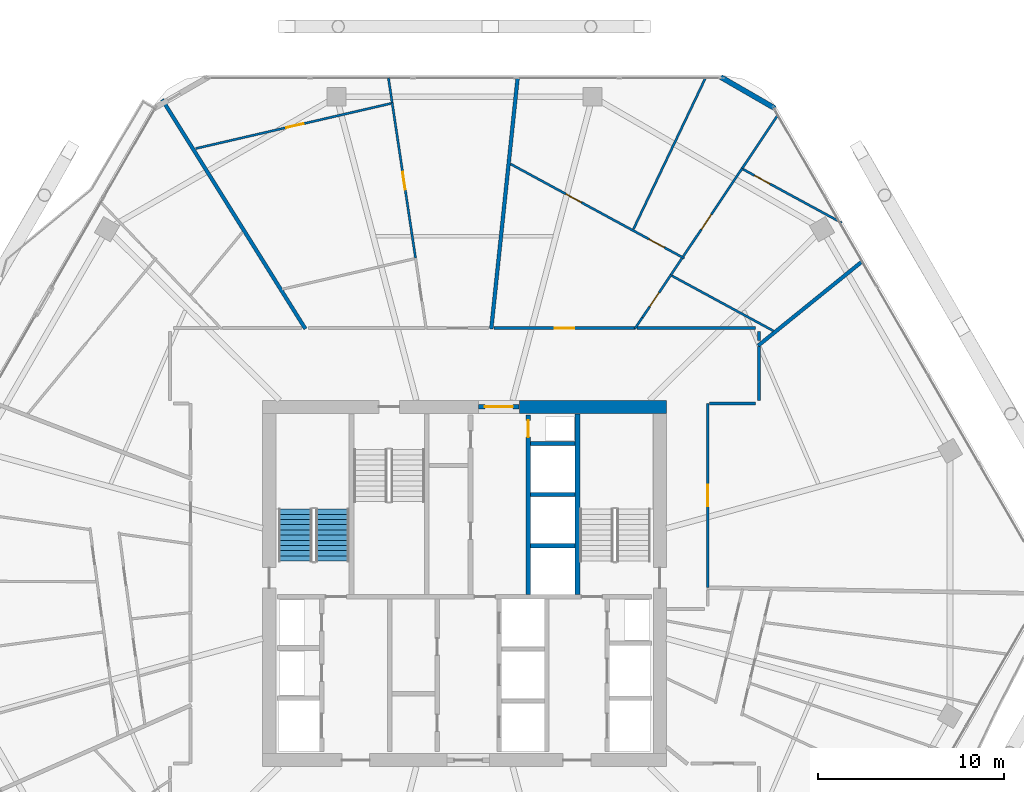
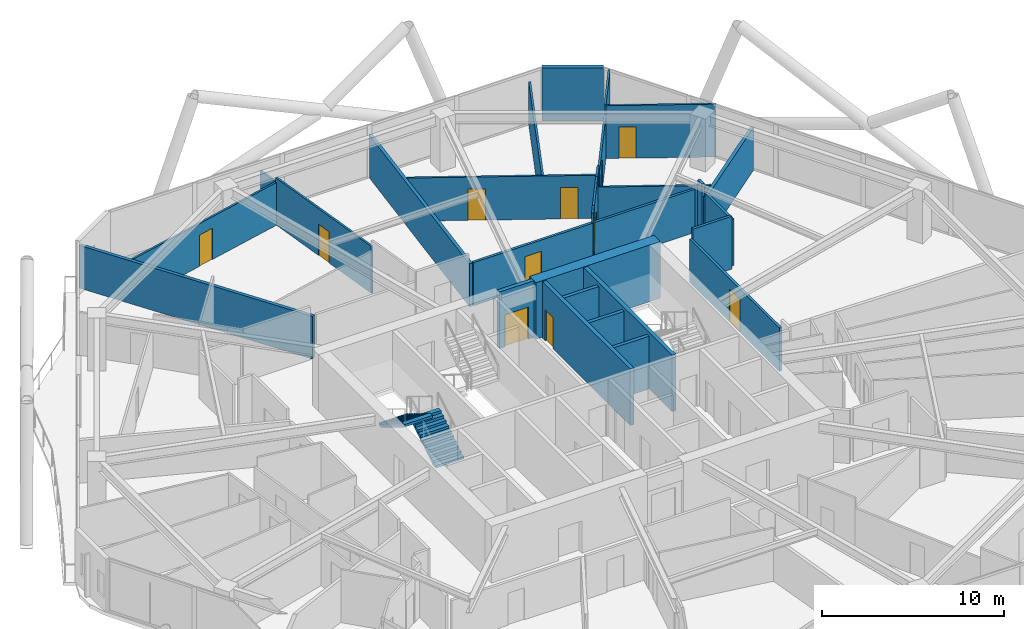
# One storey, part 26 of 30: 29 walls, 11 doors, 2 stair flights, 11 openings, 1 element without a shape of its own.
"""IFC4 building model written with IfcOpenShell, lengths in metres."""

import ifcopenshell
import ifcopenshell.guid

model = None  # the IFC model being written
_history = None  # IfcOwnerHistory: only IFC2X3 demands one
_inside = {}  # id of a spatial element -> (the spatial element, [elements in it])
_under = {}  # id of a project, library or spatial element -> (it, [spatial elements below it])
_declared = {}  # id of a project -> (the project, [libraries it declares])
_typed = {}  # id of a type object -> (the type object, [elements of that type])
_made_of = {}  # id of a material, layer set ... -> (it, [elements and type objects made of it])


def new_model(schema):
    """Start an empty IFC model of exactly this schema.

    Asked for "IFC4X3", IfcOpenShell would pick the latest addendum, in which some entities
    have other attributes; the version numbers below select the first issue.
    IFC2X3 requires an IfcOwnerHistory on every rooted entity: one is made here for all.
    """
    global model, _history
    if schema == "IFC4X3":
        model = ifcopenshell.file(schema_version=(4, 3, 0, 0))
    else:
        model = ifcopenshell.file(schema=schema)
    _inside.clear()
    _under.clear()
    _declared.clear()
    _typed.clear()
    _made_of.clear()
    _history = None
    if model.schema == "IFC2X3":
        org = make("IfcOrganization", Name="unknown")
        user = make(
            "IfcPersonAndOrganization",
            ThePerson=make("IfcPerson", FamilyName="unknown"),
            TheOrganization=org,
        )
        app = make(
            "IfcApplication",
            ApplicationDeveloper=org,
            Version="unknown",
            ApplicationFullName="unknown",
            ApplicationIdentifier="unknown",
        )
        _history = make(
            "IfcOwnerHistory",
            OwningUser=user,
            OwningApplication=app,
            ChangeAction="ADDED",
            CreationDate=0,
        )
    return model


def make(cls, **values):
    """One entity of the class cls with the attributes given. An attribute that is None is left unset."""
    return model.create_entity(
        cls, **{name: value for name, value in values.items() if value is not None}
    )


def rooted(cls, **values):
    """An entity with a GlobalId (a new one), such as an element, a storey or a relation."""
    return make(cls, GlobalId=ifcopenshell.guid.new(), OwnerHistory=_history, **values)


def si_unit(unit_type, name, prefix=None):
    """IfcSIUnit, for example si_unit("LENGTHUNIT", "METRE", prefix="MILLI")."""
    return make("IfcSIUnit", UnitType=unit_type, Prefix=prefix, Name=name)


def assignment(units):
    """IfcUnitAssignment: the units of a project."""
    return None if units is None else make("IfcUnitAssignment", Units=units)


def point(xyz):
    """IfcCartesianPoint."""
    return None if xyz is None else make("IfcCartesianPoint", Coordinates=xyz)


def direction(xyz):
    """IfcDirection."""
    return None if xyz is None else make("IfcDirection", DirectionRatios=xyz)


def frame(location, z_axis=None, x_axis=None):
    """IfcAxis2Placement3D, a coordinate frame: its origin and axes. An axis left out is left unset."""
    return make(
        "IfcAxis2Placement3D",
        Location=point(location),
        Axis=direction(z_axis),
        RefDirection=direction(x_axis),
    )


def frame_2d(location, x_axis=None):
    """IfcAxis2Placement2D, a coordinate frame in the plane: its origin and x axis."""
    return make(
        "IfcAxis2Placement2D", Location=point(location), RefDirection=direction(x_axis)
    )


def origin():
    """The frame at (0, 0, 0) with its axes left unset."""
    return frame((0.0, 0.0, 0.0))


def place(relative_to, where):
    """IfcLocalPlacement: puts the frame where relative to a parent placement (None: the world)."""
    return make(
        "IfcLocalPlacement", PlacementRelTo=relative_to, RelativePlacement=where
    )


def context(
    kind, dimensions, precision=None, world=None, true_north=None, identifier=None
):
    """IfcGeometricRepresentationContext, for example the 3D "Model" context."""
    return make(
        "IfcGeometricRepresentationContext",
        ContextIdentifier=identifier,
        ContextType=kind,
        CoordinateSpaceDimension=dimensions,
        Precision=precision,
        WorldCoordinateSystem=world,
        TrueNorth=true_north,
    )


def subcontext(parent, identifier, kind, view, scale=None):
    """IfcGeometricRepresentationSubContext, for example "Body" below "Model"."""
    return make(
        "IfcGeometricRepresentationSubContext",
        ContextIdentifier=identifier,
        ContextType=kind,
        ParentContext=parent,
        TargetScale=scale,
        TargetView=view,
    )


def project(units=None, contexts=None):
    """IfcProject with its units and contexts."""
    return rooted(
        "IfcProject",
        Name="project",
        RepresentationContexts=contexts,
        UnitsInContext=assignment(units),
    )


def spatial(cls, under=None, at=None, **own):
    """A site, building, storey or space (cls), placed at a placement, below another one or the project."""
    s = rooted(cls, ObjectPlacement=at, **own)
    if under is not None:
        _under.setdefault(under.id(), (under, []))[1].append(s)
    return s


def polyline(points):
    """IfcPolyline through the points."""
    return make("IfcPolyline", Points=[point(p) for p in points])


def profile(cls, at=None, kind="AREA", **sizes):
    """A parametric profile (cls). Its sizes go by their IFC names, for example OverallWidth=200.0."""
    return make(cls, ProfileType=kind, Position=at, **sizes)


def rectangle(**sizes):
    """IfcRectangleProfileDef."""
    return profile("IfcRectangleProfileDef", **sizes)


def outline(outer, holes=None, kind="AREA"):
    """IfcArbitraryClosedProfileDef: a profile drawn as a closed curve; with holes, ...WithVoids."""
    if holes is None:
        return make("IfcArbitraryClosedProfileDef", ProfileType=kind, OuterCurve=outer)
    return make(
        "IfcArbitraryProfileDefWithVoids",
        ProfileType=kind,
        OuterCurve=outer,
        InnerCurves=holes,
    )


def extrude(swept, where, along, depth):
    """IfcExtrudedAreaSolid: the profile swept, set in the frame where, extruded along a direction by depth."""
    return make(
        "IfcExtrudedAreaSolid",
        SweptArea=swept,
        Position=where,
        ExtrudedDirection=direction(along),
        Depth=depth,
    )


def shape(context_of_items, identifier, shape_type, items):
    """IfcShapeRepresentation: the items that make up one representation, for example the "Body"."""
    return make(
        "IfcShapeRepresentation",
        ContextOfItems=context_of_items,
        RepresentationIdentifier=identifier,
        RepresentationType=shape_type,
        Items=items,
    )


def material(Name=None, Category=None):
    """IfcMaterial."""
    return make("IfcMaterial", Name=Name, Category=Category)


def layer(
    of_material, thickness, ventilated=None, Name=None, Category=None, Priority=None
):
    """IfcMaterialLayer: one layer of a wall or slab, of a material (None: an air gap)."""
    return make(
        "IfcMaterialLayer",
        Material=of_material,
        LayerThickness=thickness,
        IsVentilated=ventilated,
        Name=Name,
        Category=Category,
        Priority=Priority,
    )


def layer_set(layers, Name=None):
    """IfcMaterialLayerSet."""
    return make("IfcMaterialLayerSet", MaterialLayers=layers, LayerSetName=Name)


def made_of(thing, what):
    """Note that an element or type object is made of a material, layer set ...; save() writes the relation."""
    if what is not None:
        _made_of.setdefault(what.id(), (what, []))[1].append(thing)
    return thing


def type_object(cls, material=None, **own):
    """A type object (cls), such as IfcWallType, which elements share."""
    return made_of(rooted(cls, **own), material)


def element(
    cls,
    number,
    at=None,
    inside=None,
    cuts=None,
    type_object=None,
    material=None,
    context=None,
    identifier="Body",
    shape_type=None,
    held_by="IfcProductDefinitionShape",
    body=None,
    shapes=None,
    **own,
):
    """One element of the class cls, such as IfcWall. Its Tag is "e" and its number.

    at: its placement. inside: the storey or other place that contains it. cuts: it is an
    opening in that element (IfcRelVoidsElement). A single representation is given by context,
    identifier, shape_type and body (its items); several are given by shapes. held_by: the class
    of the entity that holds the representations. save() writes the other relations.
    """
    e = rooted(cls, Tag="e%d" % number, ObjectPlacement=at, **own)
    if body is not None:
        shapes = [shape(context, identifier, shape_type, body)]
    if shapes is not None:
        e.Representation = make(held_by, Representations=shapes)
    if inside is not None:
        _inside.setdefault(inside.id(), (inside, []))[1].append(e)
    if cuts is not None:
        rooted(
            "IfcRelVoidsElement", RelatingBuildingElement=cuts, RelatedOpeningElement=e
        )
    if type_object is not None:
        _typed.setdefault(type_object.id(), (type_object, []))[1].append(e)
    return made_of(e, material)


def fill(opening, filler):
    """IfcRelFillsElement: the door or window that sits in an opening."""
    return rooted(
        "IfcRelFillsElement",
        RelatingOpeningElement=opening,
        RelatedBuildingElement=filler,
    )


def aggregate(whole, parts):
    """IfcRelAggregates: a whole, such as a stair, and the parts it consists of."""
    return rooted("IfcRelAggregates", RelatingObject=whole, RelatedObjects=parts)


def save(model, path):
    """Write the relations noted so far, then the file.

    IfcRelAggregates (storeys below a building ...), IfcRelContainedInSpatialStructure (elements
    in a storey), IfcRelDefinesByType, IfcRelAssociatesMaterial and IfcRelDeclares: one each for
    every whole, place, type object, material and project.
    """
    for whole, parts in _under.values():
        aggregate(whole, parts)
    for where, things in _inside.values():
        rooted(
            "IfcRelContainedInSpatialStructure",
            RelatedElements=things,
            RelatingStructure=where,
        )
    for kind, things in _typed.values():
        rooted("IfcRelDefinesByType", RelatedObjects=things, RelatingType=kind)
    for what, things in _made_of.values():
        rooted("IfcRelAssociatesMaterial", RelatedObjects=things, RelatingMaterial=what)
    for by, libraries in _declared.values():
        rooted("IfcRelDeclares", RelatingContext=by, RelatedDefinitions=libraries)
    model.write(path)


model = new_model("IFC4")

# Units and contexts
model_context = context("Model", 3, precision=1e-05, world=origin(), true_north=direction((0.0, 1.0)))
body_context = subcontext(model_context, "Body", "Model", "MODEL_VIEW")
ifc_project = project(units=[si_unit("LENGTHUNIT", "METRE"), si_unit("AREAUNIT", "SQUARE_METRE"), si_unit("VOLUMEUNIT", "CUBIC_METRE"), si_unit("PLANEANGLEUNIT", "RADIAN"), si_unit("MASSUNIT", "GRAM", prefix="KILO")], contexts=[model_context])

# Site, building, storey
site_placement = place(None, origin())
site = spatial("IfcSite", under=ifc_project, at=site_placement, CompositionType="ELEMENT")
building_placement = place(site_placement, origin())
building = spatial("IfcBuilding", under=site, at=building_placement, Name="Zuhravey Tower", CompositionType="ELEMENT")
storey_placement = place(building_placement, frame((0.0, 0.0, 177.0)))
storey = spatial("IfcBuildingStorey", under=building, at=storey_placement, Name="L44", CompositionType="ELEMENT", Elevation=177.0)

# Wall
ifc_material_1 = material(Name="Concrete C60/75", Category="concrete")
ifc_layer_1 = layer(ifc_material_1, 0.699951171875)
ifc_layer_set_1 = layer_set([ifc_layer_1], Name="Concrete C60/75")
wall_type_1 = type_object("IfcWallType", Name="Core Shear Wall 700", PredefinedType="SHEAR", material=ifc_layer_set_1)
wall_1_placement = place(storey_placement, frame((46.85009765625, 41.5, 0.0), z_axis=(0.0, 0.0, 1.0), x_axis=(-1.0, 0.0, 0.0)))
element("IfcWall", 1, at=wall_1_placement, inside=storey, type_object=wall_type_1, Name="L44 North-East Core Shear Wall CW70", PredefinedType="SHEAR", context=body_context, shape_type="SweptSolid", body=[
    extrude(rectangle(XDim=7.900146484375, YDim=0.699951171875, at=frame_2d((3.9501953125, 0.0))), origin(), (0.0, 0.0, 1.0), 3.800048828125),
])

# Wall, opening, door
ifc_material_2 = material(Name="Gypsum fire-rated stud partition")
ifc_layer_2 = layer(ifc_material_2, 0.159912109375)
ifc_layer_set_2 = layer_set([ifc_layer_2], Name="Gypsum fire-rated stud partition")
wall_type_2 = type_object("IfcWallType", Name="Corridor Fire Partition 160", PredefinedType="PARTITIONING", material=ifc_layer_set_2)
wall_2_placement = place(storey_placement, frame((45.160400390625, 45.72998046875, 0.0), z_axis=(0.0, 0.0, 1.0), x_axis=(-1.0, 0.0, 0.0)))
wall_2 = element("IfcWall", 2, at=wall_2_placement, inside=storey, type_object=wall_type_2, Name="L44 IW16 Partition 025", PredefinedType="PARTITIONING", context=body_context, shape_type="SweptSolid", body=[
    extrude(rectangle(XDim=7.575927734375, YDim=0.159912109375, at=frame_2d((3.7880859375, 0.0))), origin(), (0.0, 0.0, 1.0), 2.89990234375),
])
opening_1_placement = place(wall_2_placement, frame((3.262939453125, 0.0, 0.0)))
opening_1 = element("IfcOpeningElement", 3, at=opening_1_placement, cuts=wall_2, Name="Opening APD1", PredefinedType="OPENING", context=body_context, shape_type="SweptSolid", body=[
    extrude(rectangle(XDim=1.050048828125, YDim=2.14990234375, at=frame_2d((0.52490234375, 1.074951171875))), frame((0.0, 0.092041015625, 0.0), z_axis=(0.0, -1.0, 0.0), x_axis=(1.0, 0.0, 0.0)), (0.0, 0.0, 1.0), 0.183837890625),
])
ifc_material_3 = material(Name="Solid-core oak fire-rated leaf")
door_type_1 = type_object("IfcDoorType", Name="Apartment Entrance Fire Door 1050x2150", OperationType="NOTDEFINED", PredefinedType="DOOR", material=ifc_material_3)
door_1_placement = place(opening_1_placement, frame((1.050048828125, 0.0, 0.0), z_axis=(0.0, 0.0, 1.0), x_axis=(-1.0, 0.0, 0.0)))
door_1 = element("IfcDoor", 4, at=door_1_placement, inside=storey, type_object=door_type_1, Name="L44 Door 025.1", OperationType="SINGLE_SWING_RIGHT", OverallHeight=2.14990234375, OverallWidth=1.050048828125, PredefinedType="DOOR", context=body_context, shape_type="SweptSolid", body=[
    extrude(rectangle(XDim=1.050048828125, YDim=2.14990234375, at=frame_2d((0.52490234375, 1.074951171875))), frame((0.0, 0.02490234375, 0.0), z_axis=(0.0, -1.0, 0.0), x_axis=(1.0, 0.0, 0.0)), (0.0, 0.0, 1.0), 0.050048828125),
])
fill(opening_1, door_1)

wall_3_placement = place(storey_placement, frame((49.080078125, 31.791748046875, 0.0), z_axis=(0.0, 0.0, 1.0), x_axis=(0.0, 1.0, 0.0)))
wall_3 = element("IfcWall", 5, at=wall_3_placement, inside=storey, type_object=wall_type_2, Name="L44 IW16 Partition 054", PredefinedType="PARTITIONING", context=body_context, shape_type="SweptSolid", body=[
    extrude(rectangle(XDim=9.878173828125, YDim=0.159912109375, at=frame_2d((4.93896484375, 0.0))), origin(), (0.0, 0.0, 1.0), 2.89990234375),
])
opening_2_placement = place(wall_3_placement, frame((4.3642578125, 0.0, 0.0)))
opening_2 = element("IfcOpeningElement", 6, at=opening_2_placement, cuts=wall_3, Name="Opening CLD1", PredefinedType="OPENING", context=body_context, shape_type="SweptSolid", body=[
    extrude(rectangle(XDim=1.14990234375, YDim=2.199951171875, at=frame_2d((0.574951171875, 1.10009765625))), frame((0.0, 0.092041015625, 0.0), z_axis=(0.0, -1.0, 0.0), x_axis=(1.0, 0.0, 0.0)), (0.0, 0.0, 1.0), 0.183837890625),
])
ifc_material_4 = material(Name="Acoustic timber leaf with vision lite", Category="wood")
door_type_2 = type_object("IfcDoorType", Name="Classroom Acoustic Door 1150x2200", OperationType="NOTDEFINED", PredefinedType="DOOR", material=ifc_material_4)
door_2_placement = place(opening_2_placement, frame((1.14990234375, 0.0, 0.0), z_axis=(0.0, 0.0, 1.0), x_axis=(-1.0, 0.0, 0.0)))
door_2 = element("IfcDoor", 7, at=door_2_placement, inside=storey, type_object=door_type_2, Name="L44 Door 054.1", OperationType="SINGLE_SWING_LEFT", OverallHeight=2.199951171875, OverallWidth=1.14990234375, PredefinedType="DOOR", context=body_context, shape_type="SweptSolid", body=[
    extrude(rectangle(XDim=1.14990234375, YDim=2.199951171875, at=frame_2d((0.574951171875, 1.10009765625))), frame((0.0, 0.02490234375, 0.0), z_axis=(0.0, -1.0, 0.0), x_axis=(1.0, 0.0, 0.0)), (0.0, 0.0, 1.0), 0.050048828125),
])
fill(opening_2, door_2)

# Walls
wall_4_placement = place(storey_placement, frame((51.64990234375, 45.72998046875, 0.0), z_axis=(0.0, 0.0, 1.0), x_axis=(-1.0, 0.0, 0.0)))
element("IfcWall", 8, at=wall_4_placement, inside=storey, type_object=wall_type_2, Name="L44 IW16 Partition 104", PredefinedType="PARTITIONING", context=body_context, shape_type="SweptSolid", body=[
    extrude(rectangle(XDim=6.383544921875, YDim=0.159912109375, at=frame_2d((3.19189453125, 0.0))), origin(), (0.0, 0.0, 1.0), 2.89990234375),
])
wall_5_placement = place(storey_placement, frame((51.830078125, 45.0751953125, 0.0), z_axis=(0.0, 0.0, 1.0), x_axis=(0.0, 1.0, 0.0)))
element("IfcWall", 9, at=wall_5_placement, inside=storey, type_object=wall_type_2, Name="L44 IW16 Partition 105", PredefinedType="PARTITIONING", context=body_context, shape_type="SweptSolid", body=[
    extrude(rectangle(XDim=0.474853515625, YDim=0.159912109375, at=frame_2d((0.2373046875, 0.0))), origin(), (0.0, 0.0, 1.0), 3.550048828125),
])
wall_6_placement = place(storey_placement, frame((51.830078125, 41.85009765625, 0.0), z_axis=(0.0, 0.0, 1.0), x_axis=(0.0, 1.0, 0.0)))
element("IfcWall", 10, at=wall_6_placement, inside=storey, type_object=wall_type_2, Name="L44 IW16 Partition 125", PredefinedType="PARTITIONING", context=body_context, shape_type="SweptSolid", body=[
    extrude(rectangle(XDim=2.886962890625, YDim=0.159912109375, at=frame_2d((1.443359375, 0.0))), origin(), (0.0, 0.0, 1.0), 3.14990234375),
])
wall_7_placement = place(storey_placement, frame((49.16796875, 41.669921875, 0.0), z_axis=(0.0, 0.0, 1.0), x_axis=(1.0, 0.0, 0.0)))
element("IfcWall", 11, at=wall_7_placement, inside=storey, type_object=wall_type_2, Name="L44 IW16 Partition 126", PredefinedType="PARTITIONING", context=body_context, shape_type="SweptSolid", body=[
    extrude(rectangle(XDim=2.48193359375, YDim=0.159912109375, at=frame_2d((1.240966796875, 0.0))), origin(), (0.0, 0.0, 1.0), 3.550048828125),
])
ifc_material_5 = material(Name="Precast concrete C40/50", Category="concrete")
ifc_layer_3 = layer(ifc_material_5, 0.280029296875)
ifc_layer_set_3 = layer_set([ifc_layer_3], Name="Precast concrete C40/50")
wall_type_3 = type_object("IfcWallType", Name="Crown Architectural Wall 280", PredefinedType="SOLIDWALL", material=ifc_layer_set_3)
wall_8_placement = place(storey_placement, frame((49.77880859375, 59.230712890625, 0.0), z_axis=(0.0, 0.0, 1.0), x_axis=(0.866020068361, -0.500009241111, 0.0)))
element("IfcWall", 12, at=wall_8_placement, inside=storey, type_object=wall_type_3, Name="L44 Rounded Corner Closure Wall EW28-10", PredefinedType="SOLIDWALL", context=body_context, shape_type="SweptSolid", body=[
    extrude(rectangle(XDim=3.365234375, YDim=0.280029296875, at=frame_2d((1.6826171875, 0.0))), origin(), (0.0, 0.0, 1.0), 3.550048828125),
])

# Wall, opening, door
ifc_material_6 = material(Name="Concrete C50/60", Category="concrete")
ifc_layer_4 = layer(ifc_material_6, 0.25)
ifc_layer_set_4 = layer_set([ifc_layer_4], Name="Concrete C50/60")
wall_type_4 = type_object("IfcWallType", Name="Firefighting Shaft & Stair Wall 250", PredefinedType="SOLIDWALL", material=ifc_layer_set_4)
wall_9_placement = place(storey_placement, frame((36.760009765625, 41.5, 0.0), z_axis=(0.0, 0.0, 1.0), x_axis=(1.0, 0.0, 0.0)))
wall_9 = element("IfcWall", 13, at=wall_9_placement, inside=storey, type_object=wall_type_4, Name="L44 FW25 Shaft Wall 002", PredefinedType="SOLIDWALL", context=body_context, shape_type="SweptSolid", body=[
    extrude(rectangle(XDim=2.179931640625, YDim=0.25, at=frame_2d((1.08984375, 0.0))), origin(), (0.0, 0.0, 1.0), 3.800048828125),
])
opening_3_placement = place(wall_9_placement, frame((0.340087890625, 0.0, 0.0)))
opening_3 = element("IfcOpeningElement", 14, at=opening_3_placement, cuts=wall_9, Name="Opening FFD1", PredefinedType="OPENING", context=body_context, shape_type="SweptSolid", body=[
    extrude(rectangle(XDim=1.5, YDim=2.14990234375, at=frame_2d((0.75, 1.074951171875))), frame((0.0, 0.136962890625, 0.0), z_axis=(0.0, -1.0, 0.0), x_axis=(1.0, 0.0, 0.0)), (0.0, 0.0, 1.0), 0.27392578125),
])
ifc_material_7 = material(Name="Galvanised fire-rated steel leaf", Category="steel")
door_type_3 = type_object("IfcDoorType", Name="Firefighting Lobby Double Door 1500x2150", OperationType="DOUBLE_DOOR_SINGLE_SWING", PredefinedType="DOOR", material=ifc_material_7)
door_3_placement = place(opening_3_placement, origin())
door_3 = element("IfcDoor", 15, at=door_3_placement, inside=storey, type_object=door_type_3, Name="L44 North Lift Lobby Exit Door", OperationType="DOUBLE_DOOR_SINGLE_SWING", OverallHeight=2.14990234375, OverallWidth=1.5, PredefinedType="DOOR", context=body_context, shape_type="SweptSolid", body=[
    extrude(rectangle(XDim=1.5, YDim=2.14990234375, at=frame_2d((0.75, 1.074951171875))), frame((0.0, 0.02490234375, 0.0), z_axis=(0.0, -1.0, 0.0), x_axis=(1.0, 0.0, 0.0)), (0.0, 0.0, 1.0), 0.050048828125),
])
fill(opening_3, door_3)

# Wall
wall_10_placement = place(storey_placement, frame((42.074951171875, 31.39990234375, 0.0), z_axis=(0.0, 0.0, 1.0), x_axis=(0.0, 1.0, 0.0)))
element("IfcWall", 16, at=wall_10_placement, inside=storey, type_object=wall_type_4, Name="L44 FW25 Shaft Wall 006", PredefinedType="SOLIDWALL", context=body_context, shape_type="SweptSolid", body=[
    extrude(rectangle(XDim=9.7001953125, YDim=0.25, at=frame_2d((4.85009765625, 0.0))), origin(), (0.0, 0.0, 1.0), 3.800048828125),
])

# Wall, opening, door
wall_11_placement = place(storey_placement, frame((39.425048828125, 31.39990234375, 0.0), z_axis=(0.0, 0.0, 1.0), x_axis=(0.0, 1.0, 0.0)))
wall_11 = element("IfcWall", 17, at=wall_11_placement, inside=storey, type_object=wall_type_4, Name="L44 FW25 Shaft Wall 008", PredefinedType="SOLIDWALL", context=body_context, shape_type="SweptSolid", body=[
    extrude(rectangle(XDim=9.650146484375, YDim=0.25, at=frame_2d((4.8251953125, 0.0))), origin(), (0.0, 0.0, 1.0), 3.800048828125),
])
opening_4_placement = place(wall_11_placement, frame((8.469970703125, 0.0, 0.0)))
opening_4 = element("IfcOpeningElement", 18, at=opening_4_placement, cuts=wall_11, Name="Opening RSD1", PredefinedType="OPENING", context=body_context, shape_type="SweptSolid", body=[
    extrude(rectangle(XDim=0.89990234375, YDim=2.10009765625, at=frame_2d((0.449951171875, 1.050048828125))), frame((0.0, 0.136962890625, 0.0), z_axis=(0.0, -1.0, 0.0), x_axis=(1.0, 0.0, 0.0)), (0.0, 0.0, 1.0), 0.27392578125),
])
ifc_material_8 = material(Name="Galvanised fire-rated steel access leaf", Category="steel")
door_type_4 = type_object("IfcDoorType", Name="Riser & Shaft Access Fire Door 900x2100", OperationType="NOTDEFINED", PredefinedType="DOOR", material=ifc_material_8)
door_4_placement = place(opening_4_placement, origin())
door_4 = element("IfcDoor", 19, at=door_4_placement, inside=storey, type_object=door_type_4, Name="L44 North Riser Door", OperationType="SINGLE_SWING_LEFT", OverallHeight=2.10009765625, OverallWidth=0.89990234375, PredefinedType="DOOR", context=body_context, shape_type="SweptSolid", body=[
    extrude(rectangle(XDim=0.89990234375, YDim=2.10009765625, at=frame_2d((0.449951171875, 1.050048828125))), frame((0.0, 0.02490234375, 0.0), z_axis=(0.0, -1.0, 0.0), x_axis=(1.0, 0.0, 0.0)), (0.0, 0.0, 1.0), 0.050048828125),
])
fill(opening_4, door_4)

# Walls
ifc_material_9 = material(Name="Gypsum double-stud party assembly")
ifc_layer_5 = layer(ifc_material_9, 0.199951171875)
ifc_layer_set_5 = layer_set([ifc_layer_5], Name="Gypsum double-stud party assembly")
wall_type_5 = type_object("IfcWallType", Name="Inter-Tenancy Party Wall 200", PredefinedType="PARTITIONING", material=ifc_layer_set_5)
wall_12_placement = place(storey_placement, frame((51.7900390625, 44.78662109375, 0.0), z_axis=(0.0, 0.0, 1.0), x_axis=(0.777161996324, 0.629300589122, 0.0)))
element("IfcWall", 20, at=wall_12_placement, inside=storey, type_object=wall_type_5, Name="L44 IW20 Partition 061", PredefinedType="PARTITIONING", context=body_context, shape_type="SweptSolid", body=[
    extrude(rectangle(XDim=7.203857421875, YDim=0.199951171875, at=frame_2d((3.60205078125, 0.0))), origin(), (0.0, 0.0, 1.0), 2.8701171875),
])
wall_13_placement = place(storey_placement, frame((37.43896484375, 45.68994140625, 0.0), z_axis=(0.0, 0.0, 1.0), x_axis=(0.104530227492, 0.994521709939, 0.0)))
element("IfcWall", 21, at=wall_13_placement, inside=storey, type_object=wall_type_5, Name="L44 IW20 Partition 066", PredefinedType="PARTITIONING", context=body_context, shape_type="SweptSolid", body=[
    extrude(rectangle(XDim=13.5673828125, YDim=0.199951171875, at=frame_2d((6.78369140625, 0.0))), origin(), (0.0, 0.0, 1.0), 2.8701171875),
])
wall_14_placement = place(storey_placement, frame((27.445556640625, 45.68994140625, 0.0), z_axis=(0.0, 0.0, 1.0), x_axis=(-0.529915927037, 0.848050181459, 0.0)))
element("IfcWall", 22, at=wall_14_placement, inside=storey, type_object=wall_type_5, Name="L44 IW20 Partition 070", PredefinedType="PARTITIONING", context=body_context, shape_type="SweptSolid", body=[
    extrude(rectangle(XDim=14.540283203125, YDim=0.199951171875, at=frame_2d((7.27001953125, 0.0))), origin(), (0.0, 0.0, 1.0), 2.8701171875),
])
ifc_material_10 = material(Name="Gypsum acoustic stud assembly")
ifc_layer_6 = layer(ifc_material_10, 0.219970703125)
ifc_layer_set_6 = layer_set([ifc_layer_6], Name="Gypsum acoustic stud assembly")
wall_type_6 = type_object("IfcWallType", Name="School Acoustic Compartment Wall 220", PredefinedType="PARTITIONING", material=ifc_layer_set_6)
for number, where, z_axis, x_axis, name in (
    (23, (39.55810546875, 34.02490234375, 0.0), (0.0, 0.0, 1.0), (1.0, 0.0, 0.0), "L44 IW22 Partition 056"),
    (24, (39.55810546875, 36.77490234375, 0.0), (0.0, 0.0, 1.0), (1.0, 0.0, 0.0), "L44 IW22 Partition 057"),
    (25, (39.55810546875, 39.52490234375, 0.0), (0.0, 0.0, 1.0), (1.0, 0.0, 0.0), "L44 IW22 Partition 058"),
):
    element("IfcWall", number, at=place(storey_placement, frame(where, z_axis=z_axis, x_axis=x_axis)), inside=storey, type_object=wall_type_6, Name=name, PredefinedType="PARTITIONING", context=body_context, shape_type="SweptSolid", body=[
        extrude(rectangle(XDim=2.3837890625, YDim=0.219970703125, at=frame_2d((1.19189453125, 0.0))), origin(), (0.0, 0.0, 1.0), 3.550048828125),
    ])

# Wall, openings, doors
ifc_material_11 = material(Name="Gypsum metal-stud partition")
ifc_layer_7 = layer(ifc_material_11, 0.1201171875)
ifc_layer_set_7 = layer_set([ifc_layer_7], Name="Gypsum metal-stud partition")
wall_type_7 = type_object("IfcWallType", Name="Unit Internal Partition 120", PredefinedType="PARTITIONING", material=ifc_layer_set_7)
wall_15_placement = place(storey_placement, frame((47.816162109375, 49.484375, 0.0), z_axis=(0.0, 0.0, 1.0), x_axis=(-0.878822079669, 0.477149612057, 0.0)))
wall_15 = element("IfcWall", 26, at=wall_15_placement, inside=storey, type_object=wall_type_7, Name="L44 IW12 Partition 020", PredefinedType="PARTITIONING", context=body_context, shape_type="SweptSolid", body=[
    extrude(rectangle(XDim=10.635498046875, YDim=0.1201171875, at=frame_2d((5.31787109375, 0.0))), origin(), (0.0, 0.0, 1.0), 2.89990234375),
])
opening_5_placement = place(wall_15_placement, frame((1.218017578125, 0.0, 0.0)))
opening_5 = element("IfcOpeningElement", 27, at=opening_5_placement, cuts=wall_15, Name="Opening IND1", PredefinedType="OPENING", context=body_context, shape_type="SweptSolid", body=[
    extrude(rectangle(XDim=0.949951171875, YDim=2.10009765625, at=frame_2d((0.47509765625, 1.050048828125))), frame((0.0, 0.072021484375, 0.0), z_axis=(0.0, -1.0, 0.0), x_axis=(1.0, 0.0, 0.0)), (0.0, 0.0, 1.0), 0.14404296875),
])
opening_6_placement = place(wall_15_placement, frame((6.2958984375, 0.0, 0.0)))
opening_6 = element("IfcOpeningElement", 28, at=opening_6_placement, cuts=wall_15, Name="Opening IND1", PredefinedType="OPENING", context=body_context, shape_type="SweptSolid", body=[
    extrude(rectangle(XDim=0.949951171875, YDim=2.10009765625, at=frame_2d((0.47509765625, 1.050048828125))), frame((0.0, 0.072021484375, 0.0), z_axis=(0.0, -1.0, 0.0), x_axis=(1.0, 0.0, 0.0)), (0.0, 0.0, 1.0), 0.14404296875),
])
ifc_material_12 = material(Name="Painted engineered timber leaf", Category="wood")
door_type_5 = type_object("IfcDoorType", Name="Internal Room & Bedroom Door 950x2100", OperationType="NOTDEFINED", PredefinedType="DOOR", material=ifc_material_12)
door_5_placement = place(opening_5_placement, frame((0.949951171875, 0.0, 0.0), z_axis=(0.0, 0.0, 1.0), x_axis=(-1.0, 0.0, 0.0)))
door_5 = element("IfcDoor", 29, at=door_5_placement, inside=storey, type_object=door_type_5, Name="Apartment L44-01 Family Study Door", OperationType="SINGLE_SWING_LEFT", OverallHeight=2.10009765625, OverallWidth=0.949951171875, PredefinedType="DOOR", context=body_context, shape_type="SweptSolid", body=[
    extrude(rectangle(XDim=0.949951171875, YDim=2.10009765625, at=frame_2d((0.47509765625, 1.050048828125))), frame((0.0, 0.02490234375, 0.0), z_axis=(0.0, -1.0, 0.0), x_axis=(1.0, 0.0, 0.0)), (0.0, 0.0, 1.0), 0.050048828125),
])
fill(opening_5, door_5)
door_6_placement = place(opening_6_placement, frame((0.949951171875, 0.0, 0.0), z_axis=(0.0, 0.0, 1.0), x_axis=(-1.0, 0.0, 0.0)))
door_6 = element("IfcDoor", 30, at=door_6_placement, inside=storey, type_object=door_type_5, Name="Apartment L44-01 Dining Room Door", OperationType="SINGLE_SWING_RIGHT", OverallHeight=2.10009765625, OverallWidth=0.949951171875, PredefinedType="DOOR", context=body_context, shape_type="SweptSolid", body=[
    extrude(rectangle(XDim=0.949951171875, YDim=2.10009765625, at=frame_2d((0.47509765625, 1.050048828125))), frame((0.0, 0.02490234375, 0.0), z_axis=(0.0, -1.0, 0.0), x_axis=(1.0, 0.0, 0.0)), (0.0, 0.0, 1.0), 0.050048828125),
])
fill(opening_6, door_6)

# Wall, opening, door
wall_16_placement = place(storey_placement, frame((45.56591796875, 46.300048828125, 0.0), z_axis=(0.0, 0.0, 1.0), x_axis=(0.55600296576, 0.831180306592, 0.0)))
wall_16 = element("IfcWall", 31, at=wall_16_placement, inside=storey, type_object=wall_type_7, Name="L44 IW12 Partition 021", PredefinedType="PARTITIONING", context=body_context, shape_type="SweptSolid", body=[
    extrude(rectangle(XDim=2.766357421875, YDim=0.1201171875, at=frame_2d((1.38330078125, 0.0))), origin(), (0.0, 0.0, 1.0), 3.550048828125),
])
opening_7_placement = place(wall_16_placement, frame((0.7119140625, 0.0, 0.0)))
opening_7 = element("IfcOpeningElement", 32, at=opening_7_placement, cuts=wall_16, Name="Opening WCD1", PredefinedType="OPENING", context=body_context, shape_type="SweptSolid", body=[
    extrude(rectangle(XDim=0.89990234375, YDim=2.10009765625, at=frame_2d((0.449951171875, 1.050048828125))), frame((0.0, 0.072021484375, 0.0), z_axis=(0.0, -1.0, 0.0), x_axis=(1.0, 0.0, 0.0)), (0.0, 0.0, 1.0), 0.14404296875),
])
ifc_material_13 = material(Name="Moisture-resistant timber leaf", Category="wood")
door_type_6 = type_object("IfcDoorType", Name="Bathroom & WC Internal Door 900x2100", OperationType="NOTDEFINED", PredefinedType="DOOR", material=ifc_material_13)
door_7_placement = place(opening_7_placement, frame((0.89990234375, 0.0, 0.0), z_axis=(0.0, 0.0, 1.0), x_axis=(-1.0, 0.0, 0.0)))
door_7 = element("IfcDoor", 33, at=door_7_placement, inside=storey, type_object=door_type_6, Name="Apartment L44-01 Bathroom Door", OperationType="SINGLE_SWING_LEFT", OverallHeight=2.10009765625, OverallWidth=0.89990234375, PredefinedType="DOOR", context=body_context, shape_type="SweptSolid", body=[
    extrude(rectangle(XDim=0.89990234375, YDim=2.10009765625, at=frame_2d((0.449951171875, 1.050048828125))), frame((0.0, 0.02490234375, 0.0), z_axis=(0.0, -1.0, 0.0), x_axis=(1.0, 0.0, 0.0)), (0.0, 0.0, 1.0), 0.050048828125),
])
fill(opening_7, door_7)

# Wall
wall_17_placement = place(storey_placement, frame((47.10400390625, 48.599365234375, 0.0), z_axis=(0.0, 0.0, 1.0), x_axis=(0.555875532835, 0.831265536393, 0.0)))
element("IfcWall", 34, at=wall_17_placement, inside=storey, type_object=wall_type_7, Name="L44 IW12 Partition 022", PredefinedType="PARTITIONING", context=body_context, shape_type="SweptSolid", body=[
    extrude(rectangle(XDim=1.05419921875, YDim=0.1201171875, at=frame_2d((0.527099609375, 0.0))), origin(), (0.0, 0.0, 1.0), 3.550048828125),
])

# Wall, opening, door
wall_18_placement = place(storey_placement, frame((47.765869140625, 49.589111328125, 0.0), z_axis=(0.0, 0.0, 1.0), x_axis=(0.556024553712, 0.831165865317, 0.0)))
wall_18 = element("IfcWall", 35, at=wall_18_placement, inside=storey, type_object=wall_type_7, Name="L44 IW12 Partition 023", PredefinedType="PARTITIONING", context=body_context, shape_type="SweptSolid", body=[
    extrude(rectangle(XDim=5.697509765625, YDim=0.1201171875, at=frame_2d((2.8486328125, 0.0))), origin(), (0.0, 0.0, 1.0), 2.8701171875),
])
opening_8_placement = place(wall_18_placement, frame((1.75341796875, 0.0, 0.0)))
opening_8 = element("IfcOpeningElement", 36, at=opening_8_placement, cuts=wall_18, Name="Opening IND1", PredefinedType="OPENING", context=body_context, shape_type="SweptSolid", body=[
    extrude(rectangle(XDim=0.949951171875, YDim=2.10009765625, at=frame_2d((0.47509765625, 1.050048828125))), frame((0.0, 0.072021484375, 0.0), z_axis=(0.0, -1.0, 0.0), x_axis=(1.0, 0.0, 0.0)), (0.0, 0.0, 1.0), 0.14404296875),
])
door_8_placement = place(opening_8_placement, frame((0.949951171875, 0.0, 0.0), z_axis=(0.0, 0.0, 1.0), x_axis=(-1.0, 0.0, 0.0)))
door_8 = element("IfcDoor", 37, at=door_8_placement, inside=storey, type_object=door_type_5, Name="Apartment L44-01 Home Office Door", OperationType="SINGLE_SWING_RIGHT", OverallHeight=2.10009765625, OverallWidth=0.949951171875, PredefinedType="DOOR", context=body_context, shape_type="SweptSolid", body=[
    extrude(rectangle(XDim=0.949951171875, YDim=2.10009765625, at=frame_2d((0.47509765625, 1.050048828125))), frame((0.0, 0.02490234375, 0.0), z_axis=(0.0, -1.0, 0.0), x_axis=(1.0, 0.0, 0.0)), (0.0, 0.0, 1.0), 0.050048828125),
])
fill(opening_8, door_8)

wall_19_placement = place(storey_placement, frame((56.28564453125, 51.390380859375, 0.0), z_axis=(0.0, 0.0, 1.0), x_axis=(-0.878808858822, 0.477173961628, 0.0)))
wall_19 = element("IfcWall", 38, at=wall_19_placement, inside=storey, type_object=wall_type_7, Name="L44 IW12 Partition 024", PredefinedType="PARTITIONING", context=body_context, shape_type="SweptSolid", body=[
    extrude(rectangle(XDim=6.037353515625, YDim=0.1201171875, at=frame_2d((3.0185546875, 0.0))), origin(), (0.0, 0.0, 1.0), 3.550048828125),
])
opening_9_placement = place(wall_19_placement, frame((4.387939453125, 0.0, 0.0)))
opening_9 = element("IfcOpeningElement", 39, at=opening_9_placement, cuts=wall_19, Name="Opening IND1", PredefinedType="OPENING", context=body_context, shape_type="SweptSolid", body=[
    extrude(rectangle(XDim=0.949951171875, YDim=2.10009765625, at=frame_2d((0.47509765625, 1.050048828125))), frame((0.0, 0.072021484375, 0.0), z_axis=(0.0, -1.0, 0.0), x_axis=(1.0, 0.0, 0.0)), (0.0, 0.0, 1.0), 0.14404296875),
])
door_9_placement = place(opening_9_placement, frame((0.949951171875, 0.0, 0.0), z_axis=(0.0, 0.0, 1.0), x_axis=(-1.0, 0.0, 0.0)))
door_9 = element("IfcDoor", 40, at=door_9_placement, inside=storey, type_object=door_type_5, Name="Apartment L44-01 Bedroom 1 Door", OperationType="SINGLE_SWING_LEFT", OverallHeight=2.10009765625, OverallWidth=0.949951171875, PredefinedType="DOOR", context=body_context, shape_type="SweptSolid", body=[
    extrude(rectangle(XDim=0.949951171875, YDim=2.10009765625, at=frame_2d((0.47509765625, 1.050048828125))), frame((0.0, 0.02490234375, 0.0), z_axis=(0.0, -1.0, 0.0), x_axis=(1.0, 0.0, 0.0)), (0.0, 0.0, 1.0), 0.050048828125),
])
fill(opening_9, door_9)

wall_20_placement = place(storey_placement, frame((33.365478515625, 49.50146484375, 0.0), z_axis=(0.0, 0.0, 1.0), x_axis=(-0.148816904755, 0.988864767731, 0.0)))
wall_20 = element("IfcWall", 41, at=wall_20_placement, inside=storey, type_object=wall_type_7, Name="L44 IW12 Partition 027", PredefinedType="PARTITIONING", context=body_context, shape_type="SweptSolid", body=[
    extrude(rectangle(XDim=8.44384765625, YDim=0.1201171875, at=frame_2d((4.221923828125, 0.0))), origin(), (0.0, 0.0, 1.0), 3.14990234375),
])
opening_10_placement = place(wall_20_placement, frame((3.721923828125, 0.0, 0.0)))
opening_10 = element("IfcOpeningElement", 42, at=opening_10_placement, cuts=wall_20, Name="Opening IND1", PredefinedType="OPENING", context=body_context, shape_type="SweptSolid", body=[
    extrude(rectangle(XDim=0.949951171875, YDim=2.10009765625, at=frame_2d((0.47509765625, 1.050048828125))), frame((0.0, 0.072021484375, 0.0), z_axis=(0.0, -1.0, 0.0), x_axis=(1.0, 0.0, 0.0)), (0.0, 0.0, 1.0), 0.14404296875),
])
door_10_placement = place(opening_10_placement, origin())
door_10 = element("IfcDoor", 43, at=door_10_placement, inside=storey, type_object=door_type_5, Name="Apartment L44-02 Home Office Door", OperationType="SINGLE_SWING_RIGHT", OverallHeight=2.10009765625, OverallWidth=0.949951171875, PredefinedType="DOOR", context=body_context, shape_type="SweptSolid", body=[
    extrude(rectangle(XDim=0.949951171875, YDim=2.10009765625, at=frame_2d((0.47509765625, 1.050048828125))), frame((0.0, 0.02490234375, 0.0), z_axis=(0.0, -1.0, 0.0), x_axis=(1.0, 0.0, 0.0)), (0.0, 0.0, 1.0), 0.050048828125),
])
fill(opening_10, door_10)

wall_21_placement = place(storey_placement, frame((32.046142578125, 57.811279296875, 0.0), z_axis=(0.0, 0.0, 1.0), x_axis=(-0.974371328586, -0.22494558015, 0.0)))
wall_21 = element("IfcWall", 44, at=wall_21_placement, inside=storey, type_object=wall_type_7, Name="L44 IW12 Partition 028", PredefinedType="PARTITIONING", context=body_context, shape_type="SweptSolid", body=[
    extrude(rectangle(XDim=10.77197265625, YDim=0.1201171875, at=frame_2d((5.385986328125, 0.0))), origin(), (0.0, 0.0, 1.0), 2.8701171875),
])
opening_11_placement = place(wall_21_placement, frame((4.826416015625, 0.0, 0.0)))
opening_11 = element("IfcOpeningElement", 45, at=opening_11_placement, cuts=wall_21, Name="Opening IND1", PredefinedType="OPENING", context=body_context, shape_type="SweptSolid", body=[
    extrude(rectangle(XDim=0.949951171875, YDim=2.10009765625, at=frame_2d((0.47509765625, 1.050048828125))), frame((0.0, 0.072021484375, 0.0), z_axis=(0.0, -1.0, 0.0), x_axis=(1.0, 0.0, 0.0)), (0.0, 0.0, 1.0), 0.14404296875),
])
door_11_placement = place(opening_11_placement, frame((0.949951171875, 0.0, 0.0), z_axis=(0.0, 0.0, 1.0), x_axis=(-1.0, 0.0, 0.0)))
door_11 = element("IfcDoor", 46, at=door_11_placement, inside=storey, type_object=door_type_5, Name="Apartment L44-02 Bedroom 1 Door", OperationType="SINGLE_SWING_LEFT", OverallHeight=2.10009765625, OverallWidth=0.949951171875, PredefinedType="DOOR", context=body_context, shape_type="SweptSolid", body=[
    extrude(rectangle(XDim=0.949951171875, YDim=2.10009765625, at=frame_2d((0.47509765625, 1.050048828125))), frame((0.0, 0.02490234375, 0.0), z_axis=(0.0, -1.0, 0.0), x_axis=(1.0, 0.0, 0.0)), (0.0, 0.0, 1.0), 0.050048828125),
])
fill(opening_11, door_11)

# Walls
wall_22_placement = place(storey_placement, frame((45.080810546875, 51.046875, 0.0), z_axis=(0.0, 0.0, 1.0), x_axis=(0.430349402059, 0.902662391012, 0.0)))
element("IfcWall", 47, at=wall_22_placement, inside=storey, type_object=wall_type_7, Name="L44 IW12 Partition 062", PredefinedType="PARTITIONING", context=body_context, shape_type="SweptSolid", body=[
    extrude(rectangle(XDim=9.046875, YDim=0.1201171875, at=frame_2d((4.5234375, 0.0))), origin(), (0.0, 0.0, 1.0), 2.8701171875),
])
wall_23_placement = place(storey_placement, frame((45.160400390625, 45.694091796875, 0.0), z_axis=(0.0, 0.0, 1.0), x_axis=(0.556167472671, 0.831070239115, 0.0)))
element("IfcWall", 48, at=wall_23_placement, inside=storey, type_object=wall_type_7, Name="L44 IW12 Partition 063", PredefinedType="PARTITIONING", context=body_context, shape_type="SweptSolid", body=[
    extrude(rectangle(XDim=0.729248046875, YDim=0.1201171875, at=frame_2d((0.36474609375, 0.0))), origin(), (0.0, 0.0, 1.0), 3.550048828125),
])
wall_24_placement = place(storey_placement, frame((50.933837890625, 54.32470703125, 0.0), z_axis=(0.0, 0.0, 1.0), x_axis=(0.556024334098, 0.831166012233, 0.0)))
element("IfcWall", 49, at=wall_24_placement, inside=storey, type_object=wall_type_7, Name="L44 IW12 Partition 064", PredefinedType="PARTITIONING", context=body_context, shape_type="SweptSolid", body=[
    extrude(rectangle(XDim=3.444580078125, YDim=0.1201171875, at=frame_2d((1.72216796875, 0.0))), origin(), (0.0, 0.0, 1.0), 3.550048828125),
])
wall_25_placement = place(storey_placement, frame((52.60400390625, 45.584716796875, 0.0), z_axis=(0.0, 0.0, 1.0), x_axis=(-0.878827510453, 0.477139609413, 0.0)))
element("IfcWall", 50, at=wall_25_placement, inside=storey, type_object=wall_type_7, Name="L44 IW12 Partition 065", PredefinedType="PARTITIONING", context=body_context, shape_type="SweptSolid", body=[
    extrude(rectangle(XDim=6.2060546875, YDim=0.1201171875, at=frame_2d((3.10302734375, 0.0))), origin(), (0.0, 0.0, 1.0), 2.89990234375),
])
wall_26_placement = place(storey_placement, frame((32.10888671875, 57.851318359375, 0.0), z_axis=(0.0, 0.0, 1.0), x_axis=(-0.148826194804, 0.988863369602, 0.0)))
element("IfcWall", 51, at=wall_26_placement, inside=storey, type_object=wall_type_7, Name="L44 IW12 Partition 068", PredefinedType="PARTITIONING", context=body_context, shape_type="SweptSolid", body=[
    extrude(rectangle(XDim=1.351806640625, YDim=0.1201171875, at=frame_2d((0.67578125, 0.0))), origin(), (0.0, 0.0, 1.0), 2.8701171875),
])

# Stair, stair flights
ifc_material_14 = material(Name="Concrete C40/50", Category="concrete")
stair_type = type_object("IfcStairType", Name="Housing Storey Stair Assembly 3800", PredefinedType="HALF_TURN_STAIR", material=ifc_material_14)
stair_placement = place(storey_placement, origin())
stair = element("IfcStair", 52, at=stair_placement, inside=storey, type_object=stair_type, Name="L44 Core Exit Stair ST1", PredefinedType="HALF_TURN_STAIR")
stair_flight_type = type_object("IfcStairFlightType", Name="Housing Storey Stair Flight 3800", PredefinedType="STRAIGHT", material=ifc_material_14)
stair_flight_1_placement = place(storey_placement, frame((28.89990234375, 33.199951171875, 0.0), z_axis=(0.0, 0.0, 1.0), x_axis=(0.0, 1.0, 0.0)))
stair_flight_1 = element("IfcStairFlight", 53, at=stair_flight_1_placement, type_object=stair_flight_type, Name="ST1 flight 1", NumberOfRisers=11, NumberOfTreads=10, PredefinedType="STRAIGHT", RiserHeight=0.172727273, TreadLength=0.28, context=body_context, shape_type="SweptSolid", body=[
    extrude(outline(polyline([(0.0, 0.0), (0.0, 0.172607421875), (0.280029296875, 0.172607421875), (0.280029296875, 0.345458984375), (0.56005859375, 0.345458984375), (0.56005859375, 0.51806640625), (0.840087890625, 0.51806640625), (0.840087890625, 0.69091796875), (1.1201171875, 0.69091796875), (1.1201171875, 0.863525390625), (1.39990234375, 0.863525390625), (1.39990234375, 1.036376953125), (1.679931640625, 1.036376953125), (1.679931640625, 1.208984375), (1.9599609375, 1.208984375), (1.9599609375, 1.3818359375), (2.239990234375, 1.3818359375), (2.239990234375, 1.554443359375), (2.52001953125, 1.554443359375), (2.52001953125, 1.727294921875), (2.800048828125, 1.727294921875), (2.800048828125, 1.89990234375), (2.800048828125, 1.551025390625), (0.285400390625, 0.0), (0.0, 0.0)])), frame((0.0, 0.89990234375, 0.0), z_axis=(0.0, -1.0, 0.0), x_axis=(1.0, 0.0, 0.0)), (0.0, 0.0, 1.0), 1.800048828125),
])
stair_flight_2_placement = place(storey_placement, frame((26.89990234375, 36.0, 1.89990234375), z_axis=(0.0, 0.0, 1.0), x_axis=(0.0, -1.0, 0.0)))
stair_flight_2 = element("IfcStairFlight", 54, at=stair_flight_2_placement, type_object=stair_flight_type, Name="ST1 flight 2", NumberOfRisers=11, NumberOfTreads=10, PredefinedType="STRAIGHT", RiserHeight=0.172727273, TreadLength=0.28, context=body_context, shape_type="SweptSolid", body=[
    extrude(outline(polyline([(0.0, 0.0), (0.0, 0.172607421875), (0.280029296875, 0.172607421875), (0.280029296875, 0.345458984375), (0.56005859375, 0.345458984375), (0.56005859375, 0.51806640625), (0.840087890625, 0.51806640625), (0.840087890625, 0.69091796875), (1.1201171875, 0.69091796875), (1.1201171875, 0.863525390625), (1.39990234375, 0.863525390625), (1.39990234375, 1.036376953125), (1.679931640625, 1.036376953125), (1.679931640625, 1.208984375), (1.9599609375, 1.208984375), (1.9599609375, 1.3818359375), (2.239990234375, 1.3818359375), (2.239990234375, 1.554443359375), (2.52001953125, 1.554443359375), (2.52001953125, 1.727294921875), (2.800048828125, 1.727294921875), (2.800048828125, 1.89990234375), (2.800048828125, 1.551025390625), (0.285400390625, 0.0), (0.0, 0.0)])), frame((0.0, 0.89990234375, 0.0), z_axis=(0.0, -1.0, 0.0), x_axis=(1.0, 0.0, 0.0)), (0.0, 0.0, 1.0), 1.800048828125),
])
aggregate(stair, [stair_flight_1, stair_flight_2])

save(model, "model.ifc")
